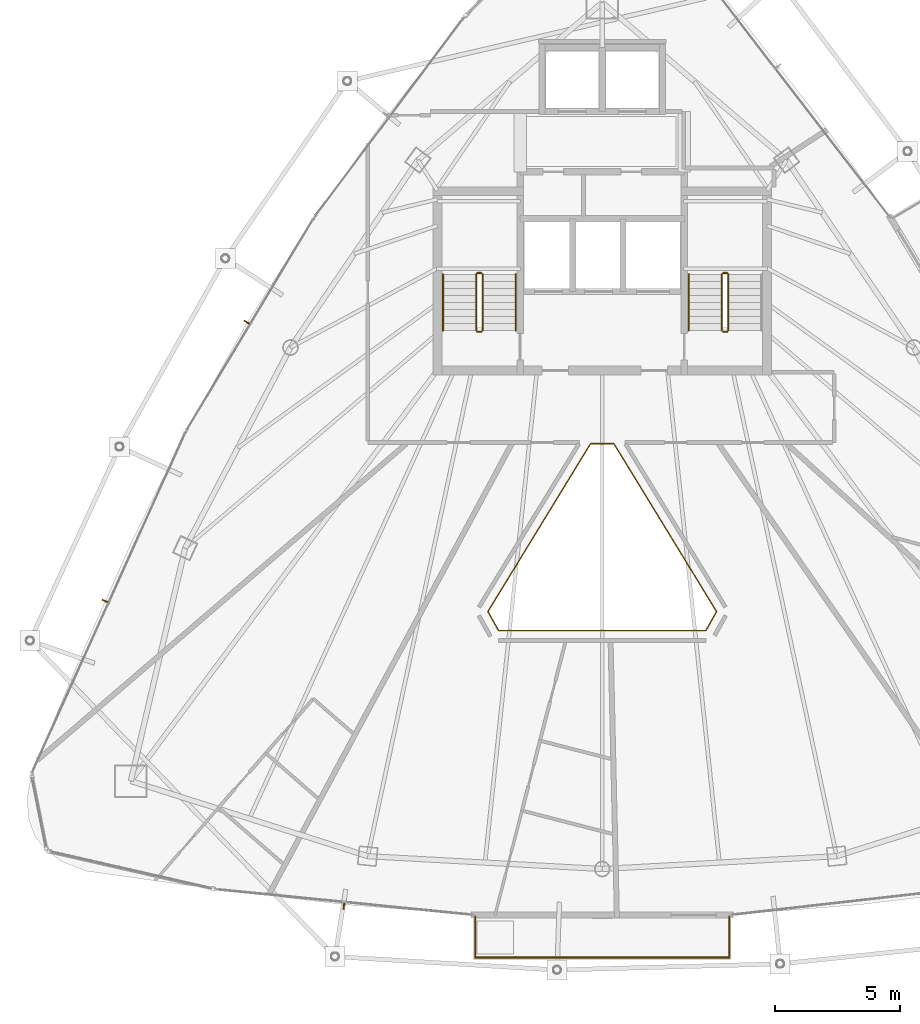
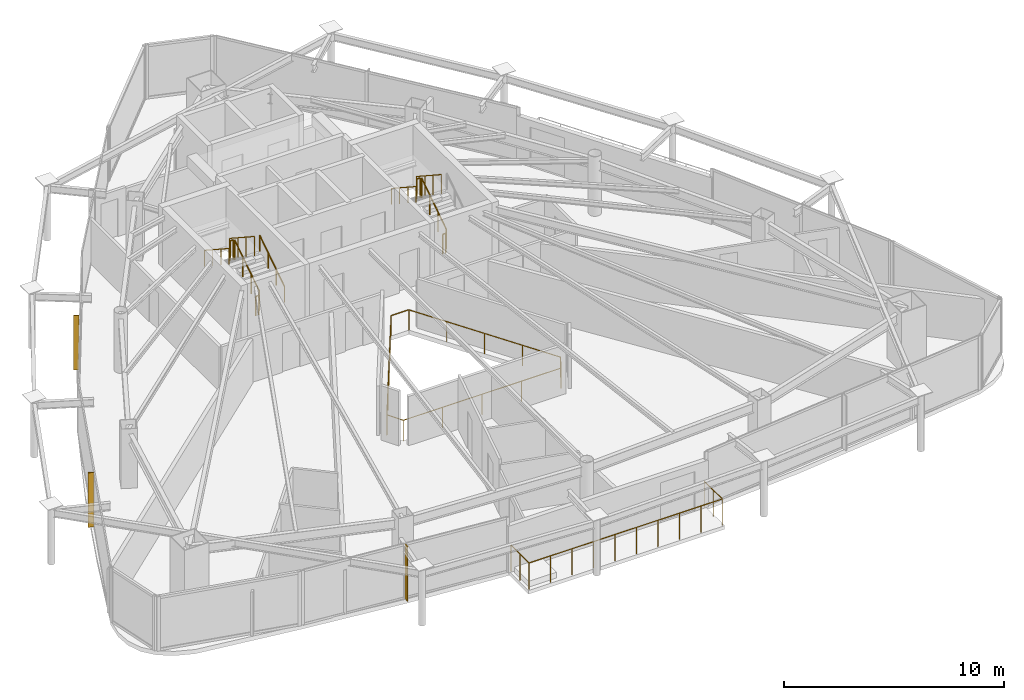
# One storey, part 28 of 30: 13 railings, 3 shading devices.
"""IFC4 building model written with IfcOpenShell, lengths in metres."""

from ifc_helpers import new_model, si_unit, direction, frame, origin, origin_2d, place, context, subcontext, project, spatial, rectangle, circle, extrude, material, layer, layer_set, type_object, element, save


model = new_model("IFC4")

# Units and contexts
model_context = context("Model", 3, precision=1e-05, world=origin(), true_north=direction((0.0, 1.0)))
body_context = subcontext(model_context, "Body", "Model", "MODEL_VIEW")
ifc_project = project(units=[si_unit("LENGTHUNIT", "METRE"), si_unit("AREAUNIT", "SQUARE_METRE"), si_unit("VOLUMEUNIT", "CUBIC_METRE"), si_unit("PLANEANGLEUNIT", "RADIAN"), si_unit("MASSUNIT", "GRAM", prefix="KILO")], contexts=[model_context])

# Site, building, storey
site_placement = place(None, origin())
site = spatial("IfcSite", under=ifc_project, at=site_placement, CompositionType="ELEMENT")
building_placement = place(site_placement, origin())
building = spatial("IfcBuilding", under=site, at=building_placement, Name="Orvanel Arch Residences", CompositionType="ELEMENT")
storey_placement = place(building_placement, frame((0.0, 0.0, 232.699951171875)))
storey = spatial("IfcBuildingStorey", under=building, at=storey_placement, Name="L66", CompositionType="ELEMENT", Elevation=232.699951171875)

# Shading devices
ifc_material_1 = material(Name="Bronze-anodised aluminium AA6063-T6", Category="aluminium")
ifc_layer = layer(ifc_material_1, 0.050048828125)
ifc_layer_set = layer_set([ifc_layer], Name="Bronze-anodised aluminium AA6063-T6")
shading_device_type = type_object("IfcShadingDeviceType", Name="FIN-BRZ-260", PredefinedType="USERDEFINED", material=ifc_layer_set)
for number, where, z_axis, x_axis, name in (
    (1, (18.825927734375, 28.64794921875, 0.0), (0.0, 0.0, 1.0), (-0.857167300702, 0.51503807491, 0.0), "L66 Anodised Bronze Mullion FIN 01"),
    (2, (13.176025390625, 17.531005859375, 0.0), (0.0, 0.0, 1.0), (-0.911403276635, 0.411514358605, 0.0), "L66 Anodised Bronze Mullion FIN 01"),
    (3, (22.696044921875, 5.368896484375, 0.0), (0.0, 0.0, 1.0), (-0.099319749744, -0.995055569961, 0.0), "L66 Anodised Bronze Mullion FIN 01"),
):
    element("IfcShadingDevice", number, at=place(storey_placement, frame(where, z_axis=z_axis, x_axis=x_axis)), inside=storey, type_object=shading_device_type, Name=name, ObjectType="FIN", PredefinedType="USERDEFINED", context=body_context, shape_type="SweptSolid", body=[
        extrude(rectangle(XDim=0.260009765625, YDim=0.050048828125, at=origin_2d()), origin(), (0.0, 0.0, 1.0), 3.02001953125),
    ])

# Railings
railing_type_1 = type_object("IfcRailingType", Name="RL-ATR-1150", PredefinedType="BALUSTRADE", material=ifc_material_1)
railing_1_placement = place(storey_placement, frame((33.4619140625, 23.806884765625, 0.0)))
element("IfcRailing", 4, at=railing_1_placement, inside=storey, type_object=railing_type_1, Name="L66 Atrium Void Protective Balustrade", PredefinedType="BALUSTRADE", context=body_context, shape_type="SweptSolid", body=[
    extrude(circle(Radius=0.02392578125, at=origin_2d()), frame((-0.00146484375, 0.0, 1.1259765625), z_axis=(-1.0, 0.0, 0.0), x_axis=(0.0, -1.0, 0.0)), (0.0, 0.0, 1.0), 0.9208984375),
    extrude(circle(Radius=0.02392578125, at=origin_2d()), frame((-0.924560546875, -0.001220703125, 1.1259765625), z_axis=(-0.521590916093, -0.853195708058, 0.0), x_axis=(0.853195708058, -0.521590916093, 0.0)), (0.0, 0.0, 1.0), 7.845947265625),
    extrude(circle(Radius=0.02392578125, at=origin_2d()), frame((-5.01708984375, -6.697998046875, 1.1259765625), z_axis=(0.489444491674, -0.872034454348, 0.0), x_axis=(0.872034454348, 0.489444491674, 0.0)), (0.0, 0.0, 1.0), 0.863037109375),
    extrude(circle(Radius=0.02392578125, at=origin_2d()), frame((-4.592529296875, -7.451904296875, 1.1259765625), z_axis=(1.0, 0.0, 0.0), x_axis=(0.0, 1.0, 0.0)), (0.0, 0.0, 1.0), 8.26123046875),
    extrude(circle(Radius=0.02392578125, at=origin_2d()), frame((3.6708984375, -7.45068359375, 1.1259765625), z_axis=(0.489444491674, 0.872034454348, 0.0), x_axis=(-0.872034454348, 0.489444491674, 0.0)), (0.0, 0.0, 1.0), 0.863037109375),
    extrude(circle(Radius=0.02392578125, at=origin_2d()), frame((4.09326171875, -6.695556640625, 1.1259765625), z_axis=(-0.521590916093, 0.853195708058, 0.0), x_axis=(-0.853195708058, -0.521590916093, 0.0)), (0.0, 0.0, 1.0), 7.845947265625),
    extrude(circle(Radius=0.02099609375, at=origin_2d()), origin(), (0.0, 0.0, 1.0), 1.099853515625),
    extrude(circle(Radius=0.02099609375, at=origin_2d()), frame((-0.923828125, 0.0, 0.0)), (0.0, 0.0, 1.0), 1.099853515625),
    extrude(circle(Radius=0.02099609375, at=origin_2d()), frame((-1.947265625, -1.67431640625, 0.0)), (0.0, 0.0, 1.0), 1.099853515625),
    extrude(circle(Radius=0.02099609375, at=origin_2d()), frame((-2.970703125, -3.348388671875, 0.0)), (0.0, 0.0, 1.0), 1.099853515625),
    extrude(circle(Radius=0.02099609375, at=origin_2d()), frame((-3.994384765625, -5.0224609375, 0.0)), (0.0, 0.0, 1.0), 1.099853515625),
    extrude(circle(Radius=0.02099609375, at=origin_2d()), frame((-5.017822265625, -6.69677734375, 0.0)), (0.0, 0.0, 1.0), 1.099853515625),
    extrude(circle(Radius=0.02099609375, at=origin_2d()), frame((-4.593994140625, -7.451904296875, 0.0)), (0.0, 0.0, 1.0), 1.099853515625),
    extrude(circle(Radius=0.02099609375, at=origin_2d()), frame((-2.52783203125, -7.451904296875, 0.0)), (0.0, 0.0, 1.0), 1.099853515625),
    extrude(circle(Radius=0.02099609375, at=origin_2d()), frame((-0.4619140625, -7.451904296875, 0.0)), (0.0, 0.0, 1.0), 1.099853515625),
    extrude(circle(Radius=0.02099609375, at=origin_2d()), frame((1.60400390625, -7.451904296875, 0.0)), (0.0, 0.0, 1.0), 1.099853515625),
    extrude(circle(Radius=0.02099609375, at=origin_2d()), frame((3.670166015625, -7.451904296875, 0.0)), (0.0, 0.0, 1.0), 1.099853515625),
    extrude(circle(Radius=0.02099609375, at=origin_2d()), frame((4.093994140625, -6.69677734375, 0.0)), (0.0, 0.0, 1.0), 1.099853515625),
    extrude(circle(Radius=0.02099609375, at=origin_2d()), frame((3.070556640625, -5.0224609375, 0.0)), (0.0, 0.0, 1.0), 1.099853515625),
    extrude(circle(Radius=0.02099609375, at=origin_2d()), frame((2.046875, -3.348388671875, 0.0)), (0.0, 0.0, 1.0), 1.099853515625),
    extrude(circle(Radius=0.02099609375, at=origin_2d()), frame((1.0234375, -1.67431640625, 0.0)), (0.0, 0.0, 1.0), 1.099853515625),
])
railing_type_2 = type_object("IfcRailingType", Name="RL-BAL-1480", PredefinedType="BALUSTRADE", material=ifc_material_1)
railing_2_placement = place(storey_placement, frame((27.93603515625, 4.950927734375, 0.0)))
element("IfcRailing", 5, at=railing_2_placement, inside=storey, type_object=railing_type_2, Name="L66 Balcony Perimeter Guardrail Face 2", PredefinedType="BALUSTRADE", context=body_context, shape_type="SweptSolid", body=[
    extrude(circle(Radius=0.02392578125, at=origin_2d()), frame((0.0, -0.00146484375, 1.4560546875), z_axis=(0.0, -1.0, 0.0), x_axis=(1.0, 0.0, 0.0)), (0.0, 0.0, 1.0), 1.636962890625),
    extrude(circle(Radius=0.02392578125, at=origin_2d()), frame((0.00146484375, -1.639892578125, 1.4560546875), z_axis=(1.0, 0.0, 0.0), x_axis=(0.0, 1.0, 0.0)), (0.0, 0.0, 1.0), 10.125),
    extrude(circle(Radius=0.02392578125, at=origin_2d()), frame((10.1279296875, -1.638427734375, 1.4560546875), z_axis=(0.0, 1.0, 0.0), x_axis=(-1.0, 0.0, 0.0)), (0.0, 0.0, 1.0), 1.636962890625),
    extrude(circle(Radius=0.02099609375, at=origin_2d()), origin(), (0.0, 0.0, 1.0), 1.429931640625),
    extrude(circle(Radius=0.02099609375, at=origin_2d()), frame((0.0, -0.81982421875, 0.0)), (0.0, 0.0, 1.0), 1.429931640625),
    extrude(circle(Radius=0.02099609375, at=origin_2d()), frame((0.0, -1.639892578125, 0.0)), (0.0, 0.0, 1.0), 1.429931640625),
    extrude(circle(Radius=0.02099609375, at=origin_2d()), frame((1.125244140625, -1.639892578125, 0.0)), (0.0, 0.0, 1.0), 1.429931640625),
    extrude(circle(Radius=0.02099609375, at=origin_2d()), frame((2.250732421875, -1.639892578125, 0.0)), (0.0, 0.0, 1.0), 1.429931640625),
    extrude(circle(Radius=0.02099609375, at=origin_2d()), frame((3.3759765625, -1.639892578125, 0.0)), (0.0, 0.0, 1.0), 1.429931640625),
    extrude(circle(Radius=0.02099609375, at=origin_2d()), frame((4.501220703125, -1.639892578125, 0.0)), (0.0, 0.0, 1.0), 1.429931640625),
    extrude(circle(Radius=0.02099609375, at=origin_2d()), frame((5.626708984375, -1.639892578125, 0.0)), (0.0, 0.0, 1.0), 1.429931640625),
    extrude(circle(Radius=0.02099609375, at=origin_2d()), frame((6.751953125, -1.639892578125, 0.0)), (0.0, 0.0, 1.0), 1.429931640625),
    extrude(circle(Radius=0.02099609375, at=origin_2d()), frame((7.877197265625, -1.639892578125, 0.0)), (0.0, 0.0, 1.0), 1.429931640625),
    extrude(circle(Radius=0.02099609375, at=origin_2d()), frame((9.002685546875, -1.639892578125, 0.0)), (0.0, 0.0, 1.0), 1.429931640625),
    extrude(circle(Radius=0.02099609375, at=origin_2d()), frame((10.1279296875, -1.639892578125, 0.0)), (0.0, 0.0, 1.0), 1.429931640625),
    extrude(circle(Radius=0.02099609375, at=origin_2d()), frame((10.1279296875, -0.81982421875, 0.0)), (0.0, 0.0, 1.0), 1.429931640625),
    extrude(circle(Radius=0.02099609375, at=origin_2d()), frame((10.1279296875, 0.0, 0.0)), (0.0, 0.0, 1.0), 1.429931640625),
])
ifc_material_2 = material(Name="Structural steel AS/NZS 1163 C350L0 (Grade 350)", Category="steel")
railing_type_3 = type_object("IfcRailingType", Name="RL-STAIR-GUARD", PredefinedType="GUARDRAIL", material=ifc_material_2)
railing_3_placement = place(storey_placement, frame((28.22998046875, 28.320068359375, 0.183349609375)))
element("IfcRailing", 6, at=railing_3_placement, inside=storey, type_object=railing_type_3, Name="L66 ST-1 stair guard 1", PredefinedType="GUARDRAIL", context=body_context, shape_type="SweptSolid", body=[
    extrude(circle(Radius=0.02392578125, at=origin_2d()), frame((0.0, 0.001220703125, 1.076904296875), z_axis=(0.0, 0.836595146698, 0.547821650285), x_axis=(-1.0, 0.0, 0.0)), (0.0, 0.0, 1.0), 2.674560546875),
    extrude(circle(Radius=0.02099609375, at=origin_2d()), origin(), (0.0, 0.0, 1.0), 1.050048828125),
    extrude(circle(Radius=0.02099609375, at=origin_2d()), frame((0.0, 0.74658203125, 0.489013671875)), (0.0, 0.0, 1.0), 1.050048828125),
    extrude(circle(Radius=0.02099609375, at=origin_2d()), frame((0.0, 1.493408203125, 0.977783203125)), (0.0, 0.0, 1.0), 1.050048828125),
    extrude(circle(Radius=0.02099609375, at=origin_2d()), frame((0.0, 2.239990234375, 1.466796875)), (0.0, 0.0, 1.0), 1.050048828125),
])
railing_4_placement = place(storey_placement, frame((28.179931640625, 30.610107421875, 1.650146484375)))
element("IfcRailing", 7, at=railing_4_placement, inside=storey, type_object=railing_type_3, Name="L66 ST-1 stair guard 2", PredefinedType="GUARDRAIL", context=body_context, shape_type="SweptSolid", body=[
    extrude(circle(Radius=0.02392578125, at=origin_2d()), frame((-0.00146484375, 0.0, 1.076171875), z_axis=(-1.0, 0.0, 0.0), x_axis=(0.0, -1.0, 0.0)), (0.0, 0.0, 1.0), 0.156982421875),
    extrude(circle(Radius=0.02099609375, at=origin_2d()), origin(), (0.0, 0.0, 1.0), 1.050048828125),
    extrude(circle(Radius=0.02099609375, at=origin_2d()), frame((-0.159912109375, 0.0, 0.0)), (0.0, 0.0, 1.0), 1.050048828125),
])
railing_5_placement = place(storey_placement, frame((27.969970703125, 30.56005859375, 1.83349609375)))
element("IfcRailing", 8, at=railing_5_placement, inside=storey, type_object=railing_type_3, Name="L66 ST-1 stair guard 3", PredefinedType="GUARDRAIL", context=body_context, shape_type="SweptSolid", body=[
    extrude(circle(Radius=0.02392578125, at=origin_2d()), frame((0.0, -0.001220703125, 1.076904296875), z_axis=(0.0, -0.836636935527, 0.547757827979), x_axis=(1.0, 0.0, 0.0)), (0.0, 0.0, 1.0), 2.67431640625),
    extrude(circle(Radius=0.02099609375, at=origin_2d()), origin(), (0.0, 0.0, 1.0), 1.050048828125),
    extrude(circle(Radius=0.02099609375, at=origin_2d()), frame((0.0, -0.74658203125, 0.48876953125)), (0.0, 0.0, 1.0), 1.050048828125),
    extrude(circle(Radius=0.02099609375, at=origin_2d()), frame((0.0, -1.493408203125, 0.977783203125)), (0.0, 0.0, 1.0), 1.050048828125),
    extrude(circle(Radius=0.02099609375, at=origin_2d()), frame((0.0, -2.239990234375, 1.466552734375)), (0.0, 0.0, 1.0), 1.050048828125),
])
railing_6_placement = place(storey_placement, frame((28.179931640625, 28.27001953125, 0.0)))
element("IfcRailing", 9, at=railing_6_placement, inside=storey, type_object=railing_type_3, Name="L66 ST-1 stair guard 4", PredefinedType="GUARDRAIL", context=body_context, shape_type="SweptSolid", body=[
    extrude(circle(Radius=0.02392578125, at=origin_2d()), frame((-0.00146484375, 0.0, 1.076171875), z_axis=(-1.0, 0.0, 0.0), x_axis=(0.0, -1.0, 0.0)), (0.0, 0.0, 1.0), 0.156982421875),
    extrude(circle(Radius=0.02099609375, at=origin_2d()), origin(), (0.0, 0.0, 1.0), 1.050048828125),
    extrude(circle(Radius=0.02099609375, at=origin_2d()), frame((-0.159912109375, 0.0, 0.0)), (0.0, 0.0, 1.0), 1.050048828125),
])
railing_7_placement = place(storey_placement, frame((38.030029296875, 28.320068359375, 0.183349609375)))
element("IfcRailing", 10, at=railing_7_placement, inside=storey, type_object=railing_type_3, Name="L66 ST-2 stair guard 1", PredefinedType="GUARDRAIL", context=body_context, shape_type="SweptSolid", body=[
    extrude(circle(Radius=0.02392578125, at=origin_2d()), frame((0.0, 0.001220703125, 1.076904296875), z_axis=(0.0, 0.836595146698, 0.547821650285), x_axis=(-1.0, 0.0, 0.0)), (0.0, 0.0, 1.0), 2.674560546875),
    extrude(circle(Radius=0.02099609375, at=origin_2d()), origin(), (0.0, 0.0, 1.0), 1.050048828125),
    extrude(circle(Radius=0.02099609375, at=origin_2d()), frame((0.0, 0.74658203125, 0.489013671875)), (0.0, 0.0, 1.0), 1.050048828125),
    extrude(circle(Radius=0.02099609375, at=origin_2d()), frame((0.0, 1.493408203125, 0.977783203125)), (0.0, 0.0, 1.0), 1.050048828125),
    extrude(circle(Radius=0.02099609375, at=origin_2d()), frame((0.0, 2.239990234375, 1.466796875)), (0.0, 0.0, 1.0), 1.050048828125),
])
railing_8_placement = place(storey_placement, frame((37.97998046875, 30.610107421875, 1.650146484375)))
element("IfcRailing", 11, at=railing_8_placement, inside=storey, type_object=railing_type_3, Name="L66 ST-2 stair guard 2", PredefinedType="GUARDRAIL", context=body_context, shape_type="SweptSolid", body=[
    extrude(circle(Radius=0.02392578125, at=origin_2d()), frame((-0.00146484375, 0.0, 1.076171875), z_axis=(-1.0, 0.0, 0.0), x_axis=(0.0, -1.0, 0.0)), (0.0, 0.0, 1.0), 0.156982421875),
    extrude(circle(Radius=0.02099609375, at=origin_2d()), origin(), (0.0, 0.0, 1.0), 1.050048828125),
    extrude(circle(Radius=0.02099609375, at=origin_2d()), frame((-0.159912109375, 0.0, 0.0)), (0.0, 0.0, 1.0), 1.050048828125),
])
railing_9_placement = place(storey_placement, frame((37.77001953125, 30.56005859375, 1.83349609375)))
element("IfcRailing", 12, at=railing_9_placement, inside=storey, type_object=railing_type_3, Name="L66 ST-2 stair guard 3", PredefinedType="GUARDRAIL", context=body_context, shape_type="SweptSolid", body=[
    extrude(circle(Radius=0.02392578125, at=origin_2d()), frame((0.0, -0.001220703125, 1.076904296875), z_axis=(0.0, -0.836636935527, 0.547757827979), x_axis=(1.0, 0.0, 0.0)), (0.0, 0.0, 1.0), 2.67431640625),
    extrude(circle(Radius=0.02099609375, at=origin_2d()), origin(), (0.0, 0.0, 1.0), 1.050048828125),
    extrude(circle(Radius=0.02099609375, at=origin_2d()), frame((0.0, -0.74658203125, 0.48876953125)), (0.0, 0.0, 1.0), 1.050048828125),
    extrude(circle(Radius=0.02099609375, at=origin_2d()), frame((0.0, -1.493408203125, 0.977783203125)), (0.0, 0.0, 1.0), 1.050048828125),
    extrude(circle(Radius=0.02099609375, at=origin_2d()), frame((0.0, -2.239990234375, 1.466552734375)), (0.0, 0.0, 1.0), 1.050048828125),
])
railing_10_placement = place(storey_placement, frame((37.97998046875, 28.27001953125, 0.0)))
element("IfcRailing", 13, at=railing_10_placement, inside=storey, type_object=railing_type_3, Name="L66 ST-2 stair guard 4", PredefinedType="GUARDRAIL", context=body_context, shape_type="SweptSolid", body=[
    extrude(circle(Radius=0.02392578125, at=origin_2d()), frame((-0.00146484375, 0.0, 1.076171875), z_axis=(-1.0, 0.0, 0.0), x_axis=(0.0, -1.0, 0.0)), (0.0, 0.0, 1.0), 0.156982421875),
    extrude(circle(Radius=0.02099609375, at=origin_2d()), origin(), (0.0, 0.0, 1.0), 1.050048828125),
    extrude(circle(Radius=0.02099609375, at=origin_2d()), frame((-0.159912109375, 0.0, 0.0)), (0.0, 0.0, 1.0), 1.050048828125),
])
railing_type_4 = type_object("IfcRailingType", Name="RL-STAIR-HAND", PredefinedType="HANDRAIL", material=ifc_material_2)
railing_11_placement = place(storey_placement, frame((29.550048828125, 28.320068359375, 0.183349609375)))
element("IfcRailing", 14, at=railing_11_placement, inside=storey, type_object=railing_type_4, Name="L66 ST-1 stair handrail 1", PredefinedType="HANDRAIL", context=body_context, shape_type="SweptSolid", body=[
    extrude(circle(Radius=0.02392578125, at=origin_2d()), frame((0.0, 0.001220703125, 0.876708984375), z_axis=(0.0, 0.836595146698, 0.547821650285), x_axis=(-1.0, 0.0, 0.0)), (0.0, 0.0, 1.0), 2.674560546875),
    extrude(circle(Radius=0.02099609375, at=origin_2d()), origin(), (0.0, 0.0, 1.0), 0.849853515625),
    extrude(circle(Radius=0.02099609375, at=origin_2d()), frame((0.0, 0.74658203125, 0.489013671875)), (0.0, 0.0, 1.0), 0.849853515625),
    extrude(circle(Radius=0.02099609375, at=origin_2d()), frame((0.0, 1.493408203125, 0.977783203125)), (0.0, 0.0, 1.0), 0.849853515625),
    extrude(circle(Radius=0.02099609375, at=origin_2d()), frame((0.0, 2.239990234375, 1.466796875)), (0.0, 0.0, 1.0), 0.849853515625),
])
for number, where, name in (
    (15, (26.64990234375, 30.56005859375, 1.83349609375), "L66 ST-1 stair handrail 2"),
    (16, (36.449951171875, 30.56005859375, 1.83349609375), "L66 ST-2 stair handrail 2"),
):
    element("IfcRailing", number, at=place(storey_placement, frame(where)), inside=storey, type_object=railing_type_4, Name=name, PredefinedType="HANDRAIL", context=body_context, shape_type="SweptSolid", body=[
        extrude(circle(Radius=0.02392578125, at=origin_2d()), frame((0.0, -0.001220703125, 0.876708984375), z_axis=(0.0, -0.836636935527, 0.547757827979), x_axis=(1.0, 0.0, 0.0)), (0.0, 0.0, 1.0), 2.67431640625),
        extrude(circle(Radius=0.02099609375, at=origin_2d()), origin(), (0.0, 0.0, 1.0), 0.849853515625),
        extrude(circle(Radius=0.02099609375, at=origin_2d()), frame((0.0, -0.74658203125, 0.48876953125)), (0.0, 0.0, 1.0), 0.849853515625),
        extrude(circle(Radius=0.02099609375, at=origin_2d()), frame((0.0, -1.493408203125, 0.977783203125)), (0.0, 0.0, 1.0), 0.849853515625),
        extrude(circle(Radius=0.02099609375, at=origin_2d()), frame((0.0, -2.239990234375, 1.466552734375)), (0.0, 0.0, 1.0), 0.849853515625),
    ])

save(model, "model.ifc")
